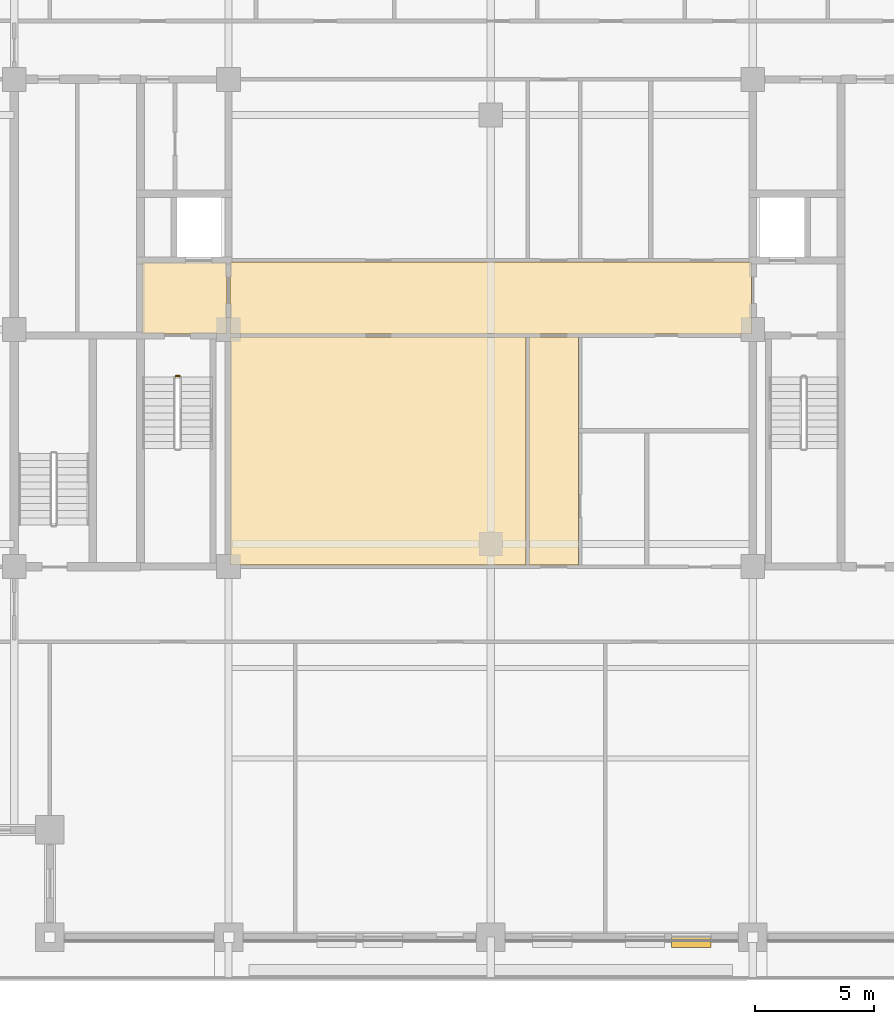
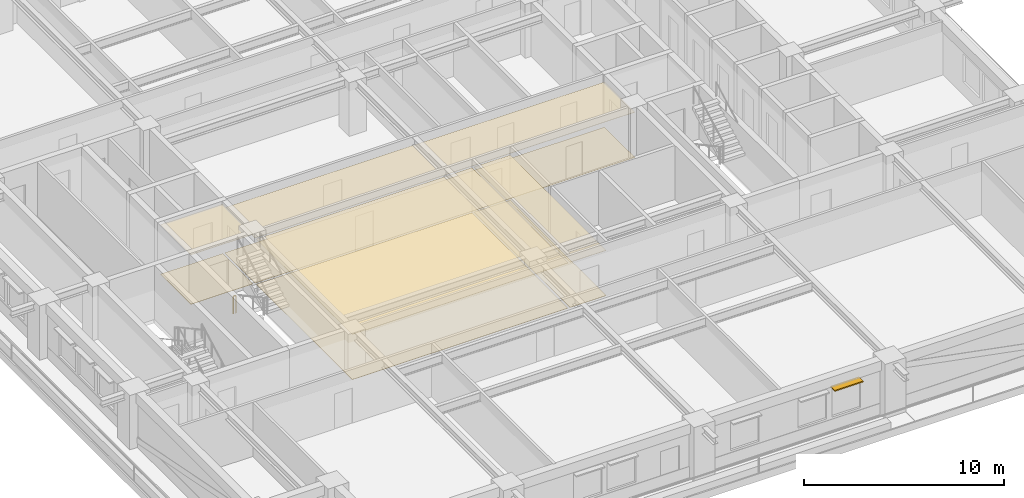
# One storey, part 11 of 14: 8 coverings, 1 railing, 1 shading device.
"""IFC4 building model written with IfcOpenShell, lengths in metres."""

from ifc_helpers import new_model, si_unit, direction, frame, frame_2d, origin, origin_2d, place, context, subcontext, project, spatial, polyline, rectangle, outline, extrude, material, layer, layer_set, type_object, element, save


model = new_model("IFC4")

# Units and contexts
model_context = context("Model", 3, precision=1e-05, world=origin(), true_north=direction((0.0, 1.0)))
body_context = subcontext(model_context, "Body", "Model", "MODEL_VIEW")
ifc_project = project(units=[si_unit("LENGTHUNIT", "METRE"), si_unit("AREAUNIT", "SQUARE_METRE"), si_unit("VOLUMEUNIT", "CUBIC_METRE"), si_unit("PLANEANGLEUNIT", "RADIAN"), si_unit("MASSUNIT", "GRAM", prefix="KILO")], contexts=[model_context])

# Site, building, storey
site_placement = place(None, origin())
site = spatial("IfcSite", under=ifc_project, at=site_placement, CompositionType="ELEMENT")
building_placement = place(site_placement, origin())
building = spatial("IfcBuilding", under=site, at=building_placement, Name="Zulmaris Gate Convention Tower", CompositionType="ELEMENT")
storey_placement = place(building_placement, frame((0.0, 0.0, 94.929931640625)))
storey = spatial("IfcBuildingStorey", under=building, at=storey_placement, Name="L23", CompositionType="ELEMENT", Elevation=94.929931640625)

# Coverings
ifc_material_1 = material(Name="Mineral Fibre Acoustic Ceiling Tile")
ifc_layer_1 = layer(ifc_material_1, 0.02001953125, Name="Mineral Fibre Acoustic Ceiling Tile")
ifc_layer_set_1 = layer_set([ifc_layer_1], Name="Mineral Fibre Acoustic Ceiling Tile")
covering_type_1 = type_object("IfcCoveringType", Name="CLG-ACOUSTIC-600", PredefinedType="CEILING", material=ifc_layer_set_1)
covering_1_placement = place(storey_placement, frame((0.0, 0.0, 3.01513671875)))
element("IfcCovering", 1, at=covering_1_placement, inside=storey, type_object=covering_type_1, Name="CLG-L23-R03", PredefinedType="CEILING", context=body_context, shape_type="SweptSolid", body=[
    extrude(outline(polyline([(-14.639892578125, -0.18994140625), (-11.06005859375, -0.18994140625), (-11.06005859375, 2.840087890625), (-14.639892578125, 2.840087890625), (-14.639892578125, -0.18994140625)])), origin(), (0.0, 0.0, 1.0), 0.02001953125),
])
covering_2_placement = place(storey_placement, frame((0.0, 0.0, 2.753173828125)))
element("IfcCovering", 2, at=covering_2_placement, inside=storey, type_object=covering_type_1, Name="CLG-L23-R30", PredefinedType="CEILING", context=body_context, shape_type="SweptSolid", body=[
    extrude(outline(polyline([(-10.93994140625, -0.18994140625), (10.93994140625, -0.18994140625), (10.93994140625, 2.840087890625), (-10.93994140625, 2.840087890625), (-10.93994140625, -0.18994140625)])), origin(), (0.0, 0.0, 1.0), 0.019775390625),
])
covering_3_placement = place(storey_placement, frame((0.0, 0.0, 2.753173828125)))
element("IfcCovering", 3, at=covering_3_placement, inside=storey, type_object=covering_type_1, Name="CLG-L23-R32", PredefinedType="CEILING", context=body_context, shape_type="SweptSolid", body=[
    extrude(outline(polyline([(1.610107421875, -9.889892578125), (3.68994140625, -9.889892578125), (3.68994140625, -0.31005859375), (1.610107421875, -0.31005859375), (1.610107421875, -9.889892578125)])), origin(), (0.0, 0.0, 1.0), 0.019775390625),
])
covering_4_placement = place(storey_placement, frame((0.0, 0.0, 2.753173828125)))
element("IfcCovering", 4, at=covering_4_placement, inside=storey, type_object=covering_type_1, Name="CLG-L23-R45", PredefinedType="CEILING", context=body_context, shape_type="SweptSolid", body=[
    extrude(outline(polyline([(-10.93994140625, -9.889892578125), (1.489990234375, -9.889892578125), (1.489990234375, -0.31005859375), (-10.93994140625, -0.31005859375), (-10.93994140625, -9.889892578125)])), origin(), (0.0, 0.0, 1.0), 0.019775390625),
])
ifc_material_2 = material(Name="Woven Acoustic Wool Carpet Tile")
ifc_layer_2 = layer(ifc_material_2, 0.02001953125, Name="Woven Acoustic Wool Carpet Tile")
ifc_layer_set_2 = layer_set([ifc_layer_2], Name="Woven Acoustic Wool Carpet Tile")
covering_type_2 = type_object("IfcCoveringType", Name="FLR-CARPET-12", PredefinedType="FLOORING", material=ifc_layer_set_2)
covering_5_placement = place(storey_placement, origin())
element("IfcCovering", 5, at=covering_5_placement, inside=storey, type_object=covering_type_2, Name="FLR-L23-R03", PredefinedType="FLOORING", context=body_context, shape_type="SweptSolid", body=[
    extrude(outline(polyline([(-14.639892578125, -0.18994140625), (-11.06005859375, -0.18994140625), (-11.06005859375, 2.840087890625), (-14.639892578125, 2.840087890625), (-14.639892578125, -0.18994140625)])), origin(), (0.0, 0.0, 1.0), 0.02001953125),
])
covering_6_placement = place(storey_placement, origin())
element("IfcCovering", 6, at=covering_6_placement, inside=storey, type_object=covering_type_2, Name="FLR-L23-R30", PredefinedType="FLOORING", context=body_context, shape_type="SweptSolid", body=[
    extrude(outline(polyline([(-10.93994140625, -0.18994140625), (10.93994140625, -0.18994140625), (10.93994140625, 2.840087890625), (-10.93994140625, 2.840087890625), (-10.93994140625, -0.18994140625)])), origin(), (0.0, 0.0, 1.0), 0.02001953125),
])
covering_7_placement = place(storey_placement, origin())
element("IfcCovering", 7, at=covering_7_placement, inside=storey, type_object=covering_type_2, Name="FLR-L23-R32", PredefinedType="FLOORING", context=body_context, shape_type="SweptSolid", body=[
    extrude(outline(polyline([(1.610107421875, -9.889892578125), (3.68994140625, -9.889892578125), (3.68994140625, -0.31005859375), (1.610107421875, -0.31005859375), (1.610107421875, -9.889892578125)])), origin(), (0.0, 0.0, 1.0), 0.02001953125),
])
covering_8_placement = place(storey_placement, origin())
element("IfcCovering", 8, at=covering_8_placement, inside=storey, type_object=covering_type_2, Name="FLR-L23-R45", PredefinedType="FLOORING", context=body_context, shape_type="SweptSolid", body=[
    extrude(outline(polyline([(-10.93994140625, -9.889892578125), (1.489990234375, -9.889892578125), (1.489990234375, -0.31005859375), (-10.93994140625, -0.31005859375), (-10.93994140625, -9.889892578125)])), origin(), (0.0, 0.0, 1.0), 0.02001953125),
])

# Railing
ifc_material_3 = material(Name="Painted Galvanised Steel", Category="steel")
railing_type = type_object("IfcRailingType", Name="RL-STG-1150", PredefinedType="GUARDRAIL", material=ifc_material_3)
railing_placement = place(storey_placement, frame((-13.219970703125, -1.949951171875, 0.0)))
element("IfcRailing", 9, at=railing_placement, inside=storey, type_object=railing_type, Name="L23 ST-1 stair guard 4", PredefinedType="GUARDRAIL", context=body_context, shape_type="SweptSolid", body=[
    extrude(rectangle(XDim=0.048095703125, YDim=0.048095703125, at=origin_2d()), frame((0.0, 0.0, 1.076171875), z_axis=(1.0, 0.0, 0.0), x_axis=(0.0, 1.0, 0.0)), (0.0, 0.0, 1.0), 0.159912109375),
    extrude(rectangle(XDim=0.0419921875, YDim=0.0419921875, at=origin_2d()), origin(), (0.0, 0.0, 1.0), 1.052001953125),
    extrude(rectangle(XDim=0.0419921875, YDim=0.0419921875, at=origin_2d()), frame((0.159912109375, 0.0, 0.0)), (0.0, 0.0, 1.0), 1.052001953125),
])

# Shading device
ifc_material_4 = material(Name="Glazed Ceramic Terracotta", Category="masonry")
ifc_layer_3 = layer(ifc_material_4, 0.070068359375, Name="Glazed Ceramic Terracotta")
ifc_layer_set_3 = layer_set([ifc_layer_3], Name="Glazed Ceramic Terracotta")
shading_device_type = type_object("IfcShadingDeviceType", Name="SHD-SUNSHADE-TC", PredefinedType="AWNING", material=ifc_layer_set_3)
shading_device_placement = place(storey_placement, frame((7.596923828125, -25.719970703125, 2.530029296875), z_axis=(0.0, 0.0, 1.0), x_axis=(1.0, 0.0, 0.0)))
element("IfcShadingDevice", 10, at=shading_device_placement, inside=storey, type_object=shading_device_type, Name="SHD-EW-L23-S-2_0-4", PredefinedType="AWNING", context=body_context, shape_type="SweptSolid", body=[
    extrude(rectangle(XDim=1.650146484375, YDim=0.43994140625, at=frame_2d((0.8251953125, 0.0))), origin(), (0.0, 0.0, 1.0), 0.06982421875),
])

save(model, "model.ifc")
